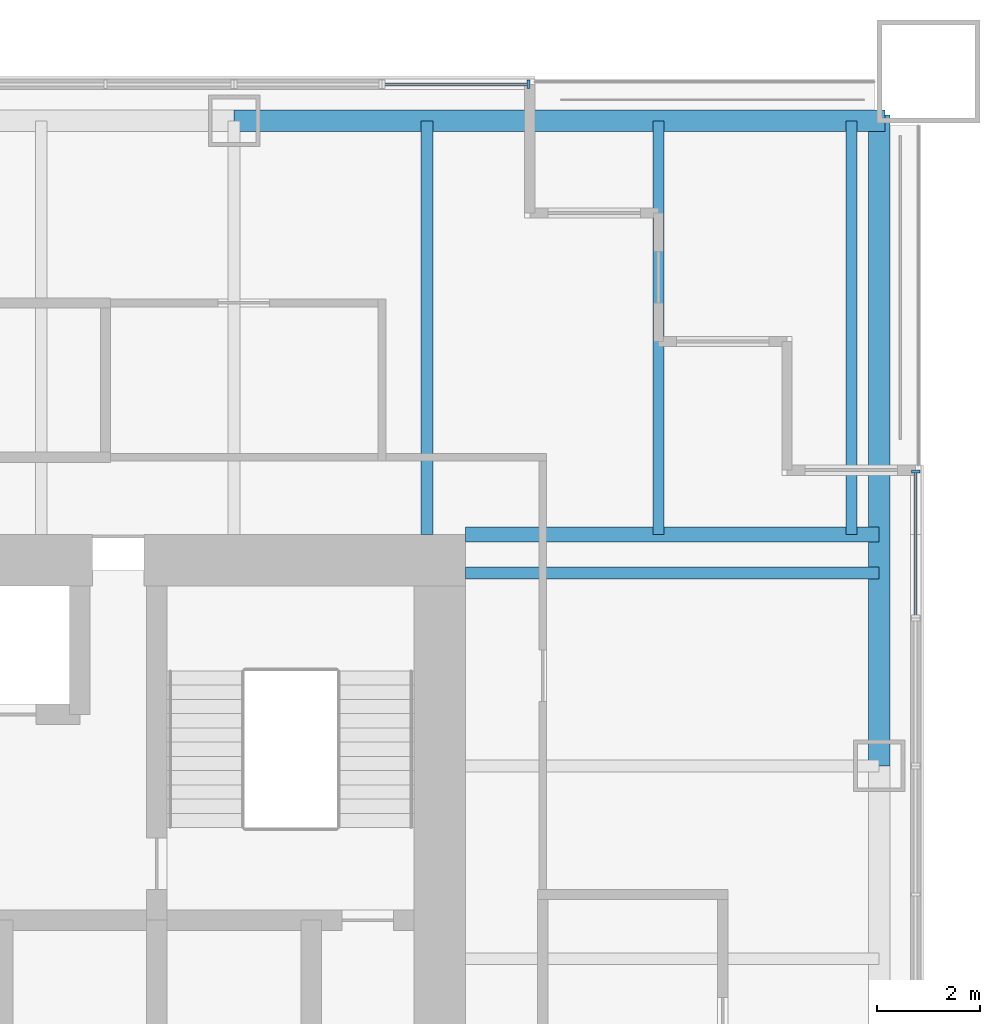
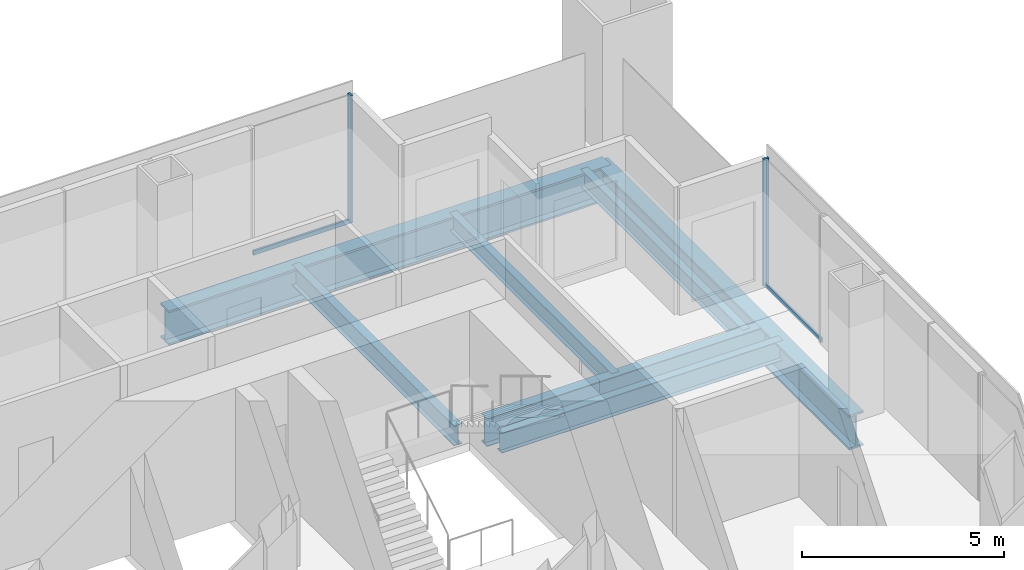
# One storey, part 7 of 14: 7 beams, 4 members, 2 elements without a shape of their own.
"""IFC4 building model written with IfcOpenShell, lengths in metres."""

from ifc_helpers import new_model, si_unit, direction, frame, origin, origin_2d, place, context, subcontext, project, spatial, rectangle, i_section, extrude, material, material_profile, profile_set, type_object, element, aggregate, save


model = new_model("IFC4")

# Units and contexts
model_context = context("Model", 3, precision=1e-05, world=origin(), true_north=direction((0.0, 1.0)))
body_context = subcontext(model_context, "Body", "Model", "MODEL_VIEW")
ifc_project = project(units=[si_unit("LENGTHUNIT", "METRE"), si_unit("AREAUNIT", "SQUARE_METRE"), si_unit("VOLUMEUNIT", "CUBIC_METRE"), si_unit("PLANEANGLEUNIT", "RADIAN"), si_unit("MASSUNIT", "GRAM", prefix="KILO")], contexts=[model_context])

# Site, building, storey
site_placement = place(None, origin())
site = spatial("IfcSite", under=ifc_project, at=site_placement, CompositionType="ELEMENT")
building_placement = place(site_placement, origin())
building = spatial("IfcBuilding", under=site, at=building_placement, Name="Tarangal Relay Tower", CompositionType="ELEMENT")
storey_placement = place(building_placement, frame((0.0, 0.0, 319.89990234375)))
storey = spatial("IfcBuildingStorey", under=building, at=storey_placement, Name="L71", CompositionType="ELEMENT", Elevation=319.89990234375)

# Beams
ifc_material_1 = material(Name="Steel ASTM A992", Category="steel")
ifc_material_profile_1 = material_profile(ifc_material_1, i_section(OverallWidth=0.209228515625, OverallDepth=0.533447265625, WebThickness=0.01025390625, FlangeThickness=0.015625, at=origin_2d()), Name="W21X62")
ifc_profile_set_1 = profile_set([ifc_material_profile_1], Name="Steel ASTM A992")
beam_type_1 = type_object("IfcBeamType", Name="Corner beam W21X62", PredefinedType="JOIST", material=ifc_profile_set_1)
for number, where, z_axis, x_axis, name in (
    (1, (15.75, 12.0, -0.41650390625), (0.0, 1.0, 0.0), (-1.0, 0.0, 0.0), "Corner beam CB12 N L71"),
    (2, (19.5, 12.0, -0.41650390625), (0.0, 1.0, 0.0), (-1.0, 0.0, 0.0), "Corner beam CB12 N L71"),
):
    element("IfcBeam", number, at=place(storey_placement, frame(where, z_axis=z_axis, x_axis=x_axis)), inside=storey, type_object=beam_type_1, Name=name, PredefinedType="JOIST", context=body_context, shape_type="SweptSolid", body=[
        extrude(i_section(OverallWidth=0.209228515625, OverallDepth=0.533447265625, WebThickness=0.01025390625, FlangeThickness=0.015625, at=origin_2d()), origin(), (0.0, 0.0, 1.0), 8.0400390625),
    ])
ifc_material_profile_2 = material_profile(ifc_material_1, i_section(OverallWidth=0.2919921875, OverallDepth=0.8408203125, WebThickness=0.0146484375, FlangeThickness=0.021728515625, at=origin_2d()), Name="W33X130")
ifc_profile_set_2 = profile_set([ifc_material_profile_2], Name="Steel ASTM A992")
beam_type_2 = type_object("IfcBeamType", Name="Corner girder W33X130", PredefinedType="BEAM", material=ifc_profile_set_2)
beam_placement = place(storey_placement, frame((12.0, 12.0, -0.5703125), z_axis=(1.0, 0.0, 0.0), x_axis=(0.0, 1.0, 0.0)))
element("IfcBeam", 3, at=beam_placement, inside=storey, type_object=beam_type_2, Name="Corner girder CG5 N L71", PredefinedType="BEAM", context=body_context, shape_type="SweptSolid", body=[
    extrude(i_section(OverallWidth=0.2919921875, OverallDepth=0.8408203125, WebThickness=0.0146484375, FlangeThickness=0.021728515625, at=origin_2d()), origin(), (0.0, 0.0, 1.0), 8.0400390625),
])
ifc_material_profile_3 = material_profile(ifc_material_1, i_section(OverallWidth=0.41162109375, OverallDepth=1.049072265625, WebThickness=0.033935546875, FlangeThickness=0.059814453125, at=origin_2d()), Name="W40X431")
ifc_profile_set_3 = profile_set([ifc_material_profile_3], Name="Steel ASTM A992")
beam_type_3 = type_object("IfcBeamType", Name="Edge girder W40X431", PredefinedType="SPANDREL", material=ifc_profile_set_3)
for number, where, z_axis, x_axis, name in (
    (4, (7.5, 20.0400390625, -0.67431640625), (1.0, 0.0, 0.0), (0.0, 1.0, 0.0), "Edge girder EG1 N L71"),
    (5, (20.0400390625, 20.14990234375, -0.67431640625), (0.0, -1.0, 0.0), (1.0, 0.0, 0.0), "Edge girder EG1 E L71"),
):
    element("IfcBeam", number, at=place(storey_placement, frame(where, z_axis=z_axis, x_axis=x_axis)), inside=storey, type_object=beam_type_3, Name=name, PredefinedType="SPANDREL", context=body_context, shape_type="SweptSolid", body=[
        extrude(i_section(OverallWidth=0.41162109375, OverallDepth=1.049072265625, WebThickness=0.033935546875, FlangeThickness=0.059814453125, at=origin_2d()), origin(), (0.0, 0.0, 1.0), 12.64990234375),
    ])
ifc_material_profile_4 = material_profile(ifc_material_1, i_section(OverallWidth=0.228271484375, OverallDepth=0.607177734375, WebThickness=0.01123046875, FlangeThickness=0.017333984375, at=origin_2d()), Name="W24X76")
ifc_profile_set_4 = profile_set([ifc_material_profile_4], Name="Steel ASTM A992")
beam_type_4 = type_object("IfcBeamType", Name="Floor beam W24X76", PredefinedType="BEAM", material=ifc_profile_set_4)
for number, where, z_axis, x_axis, name in (
    (6, (11.25, 12.0, -0.453369140625), (0.0, 1.0, 0.0), (-1.0, 0.0, 0.0), "Floor beam RB5 N L71"),
    (7, (12.0, 11.25, -0.453369140625), (1.0, 0.0, 0.0), (0.0, 1.0, 0.0), "Floor beam RB5 E L71"),
):
    element("IfcBeam", number, at=place(storey_placement, frame(where, z_axis=z_axis, x_axis=x_axis)), inside=storey, type_object=beam_type_4, Name=name, PredefinedType="BEAM", context=body_context, shape_type="SweptSolid", body=[
        extrude(i_section(OverallWidth=0.228271484375, OverallDepth=0.607177734375, WebThickness=0.01123046875, FlangeThickness=0.017333984375, at=origin_2d()), origin(), (0.0, 0.0, 1.0), 8.0400390625),
    ])

# Curtain wall, member
ifc_material_2 = material(Name="Unitised curtain wall, dark glass and black aluminium", Category="aluminium")
curtain_wall_type = type_object("IfcCurtainWallType", Name="Curtain wall CW-B", PredefinedType="USERDEFINED", material=ifc_material_2)
curtain_wall_1_placement = place(storey_placement, origin())
curtain_wall_1 = element("IfcCurtainWall", 8, at=curtain_wall_1_placement, inside=storey, type_object=curtain_wall_type, Name="Curtain wall CW-B N facade L71", ObjectType="UNITISED CURTAIN WALL", PredefinedType="USERDEFINED")
ifc_material_3 = material(Name="Black anodised aluminium mullion", Category="aluminium")
ifc_material_profile_5 = material_profile(ifc_material_3, rectangle(XDim=0.159912109375, YDim=0.06005859375, at=origin_2d()), Name="CW-BM 60X160")
ifc_profile_set_5 = profile_set([ifc_material_profile_5], Name="Black anodised aluminium mullion")
member_type_1 = type_object("IfcMemberType", Name="Mullion CW-B 60 x 160", PredefinedType="MULLION", material=ifc_profile_set_5)
member_1_placement = place(storey_placement, frame((13.219970703125, 20.75, 0.0), z_axis=(0.0, 0.0, 1.0), x_axis=(0.0, 1.0, 0.0)))
member_1 = element("IfcMember", 9, at=member_1_placement, type_object=member_type_1, Name="CW-B mullion 2", PredefinedType="MULLION", context=body_context, shape_type="SweptSolid", body=[
    extrude(rectangle(XDim=0.159912109375, YDim=0.06005859375, at=origin_2d()), origin(), (0.0, 0.0, 1.0), 3.85009765625),
])

curtain_wall_2_placement = place(storey_placement, origin())
curtain_wall_2 = element("IfcCurtainWall", 10, at=curtain_wall_2_placement, inside=storey, type_object=curtain_wall_type, Name="Curtain wall CW-B E facade L71", ObjectType="UNITISED CURTAIN WALL", PredefinedType="USERDEFINED")
member_2_placement = place(storey_placement, frame((20.75, 13.219970703125, 0.0), z_axis=(0.0, 0.0, 1.0), x_axis=(1.0, 0.0, 0.0)))
member_2 = element("IfcMember", 11, at=member_2_placement, type_object=member_type_1, Name="CW-B mullion 1", PredefinedType="MULLION", context=body_context, shape_type="SweptSolid", body=[
    extrude(rectangle(XDim=0.159912109375, YDim=0.06005859375, at=origin_2d()), origin(), (0.0, 0.0, 1.0), 3.85009765625),
])

# Member
ifc_material_4 = material(Name="Black anodised aluminium transom", Category="aluminium")
ifc_material_profile_6 = material_profile(ifc_material_4, rectangle(XDim=0.06005859375, YDim=0.1298828125, at=origin_2d()), Name="CW-BT 60X130")
ifc_profile_set_6 = profile_set([ifc_material_profile_6], Name="Black anodised aluminium transom")
member_type_2 = type_object("IfcMemberType", Name="Transom CW-B 60 x 130", PredefinedType="USERDEFINED", material=ifc_profile_set_6)
member_3_placement = place(storey_placement, frame((10.43505859375, 20.75, 0.030029296875), z_axis=(1.0, 0.0, 0.0), x_axis=(0.0, 1.0, 0.0)))
member_3 = element("IfcMember", 12, at=member_3_placement, type_object=member_type_2, Name="CW-B transom 1.1", ObjectType="TRANSOM", PredefinedType="USERDEFINED", context=body_context, shape_type="SweptSolid", body=[
    extrude(rectangle(XDim=0.06005859375, YDim=0.1298828125, at=origin_2d()), origin(), (0.0, 0.0, 1.0), 2.7548828125),
])

aggregate(curtain_wall_1, [member_1, member_3])

member_4_placement = place(storey_placement, frame((20.75, 13.18994140625, 0.030029296875), z_axis=(0.0, -1.0, 0.0), x_axis=(1.0, 0.0, 0.0)))
member_4 = element("IfcMember", 13, at=member_4_placement, type_object=member_type_2, Name="CW-B transom 1.1", ObjectType="TRANSOM", PredefinedType="USERDEFINED", context=body_context, shape_type="SweptSolid", body=[
    extrude(rectangle(XDim=0.06005859375, YDim=0.1298828125, at=origin_2d()), origin(), (0.0, 0.0, 1.0), 2.7548828125),
])

aggregate(curtain_wall_2, [member_2, member_4])

save(model, "model.ifc")
